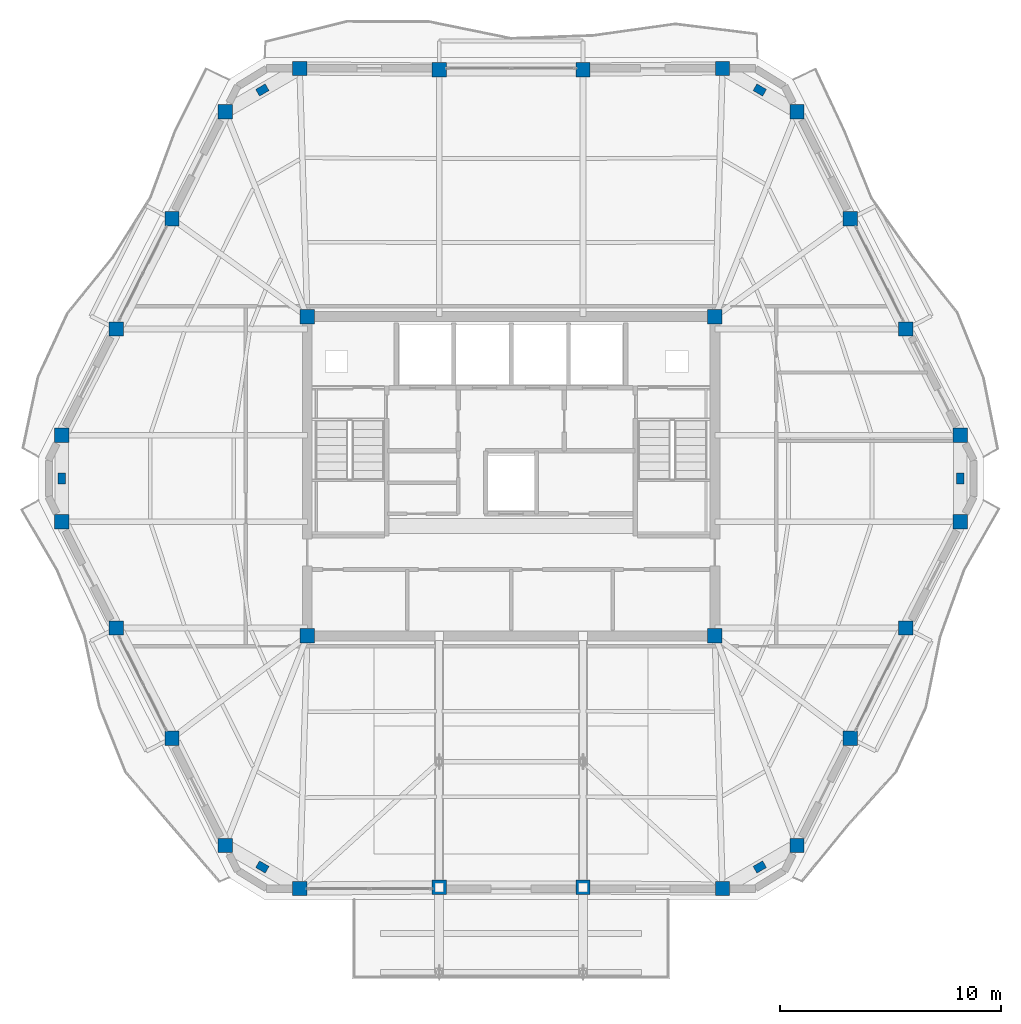
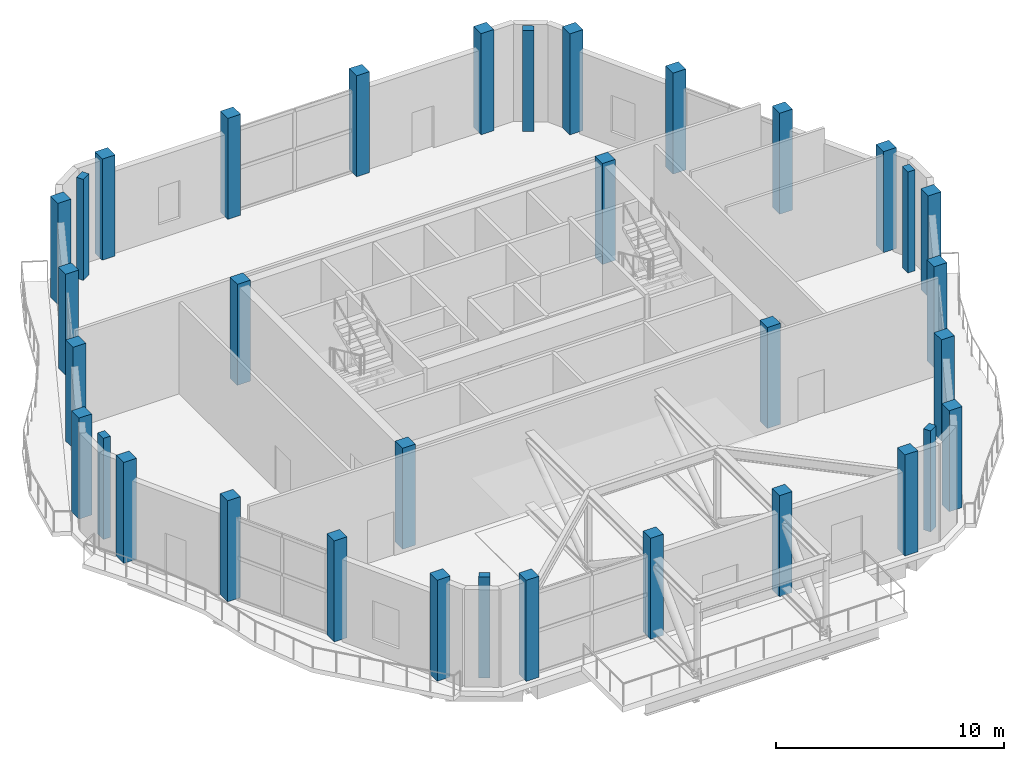
# One storey, part 1 of 23: 34 columns.
"""IFC4 building model written with IfcOpenShell, lengths in metres."""

from ifc_helpers import new_model, si_unit, direction, frame, origin, origin_2d, place, context, subcontext, project, spatial, rectangle, extrude, material, material_profile, profile_set, type_object, element, save


model = new_model("IFC4")

# Units and contexts
model_context = context("Model", 3, precision=1e-05, world=origin(), true_north=direction((0.0, 1.0)))
body_context = subcontext(model_context, "Body", "Model", "MODEL_VIEW")
ifc_project = project(units=[si_unit("LENGTHUNIT", "METRE"), si_unit("AREAUNIT", "SQUARE_METRE"), si_unit("VOLUMEUNIT", "CUBIC_METRE"), si_unit("PLANEANGLEUNIT", "RADIAN"), si_unit("MASSUNIT", "GRAM", prefix="KILO")], contexts=[model_context])

# Site, building, storey
site_placement = place(None, origin())
site = spatial("IfcSite", under=ifc_project, at=site_placement, CompositionType="ELEMENT")
building_placement = place(site_placement, origin())
building = spatial("IfcBuilding", under=site, at=building_placement, Name="Cinnabar Lancet Tower", CompositionType="ELEMENT")
storey_placement = place(building_placement, frame((0.0, 0.0, 278.10009765625)))
storey = spatial("IfcBuildingStorey", under=building, at=storey_placement, Name="L74", CompositionType="ELEMENT", Elevation=278.10009765625)

# Columns
ifc_material_1 = material(Name="Concrete C50/60", Category="concrete")
ifc_material_profile_1 = material_profile(ifc_material_1, rectangle(XDim=0.64990234375, YDim=0.64990234375, at=origin_2d()), Name="RC-COL 650x650")
ifc_profile_set_1 = profile_set([ifc_material_profile_1], Name="Concrete C50/60")
column_type_1 = type_object("IfcColumnType", Name="STR-COL-CORE-650B", PredefinedType="COLUMN", material=ifc_profile_set_1)
for number, where, z_axis, x_axis, name in (
    (1, (23.175048828125, 18.675048828125, 0.0), (0.0, 0.0, 1.0), (1.0, 0.0, 0.0), "L74 Core Corner Column SW"),
    (2, (41.625, 18.675048828125, 0.0), (0.0, 0.0, 1.0), (1.0, 0.0, 0.0), "L74 Core Corner Column SE"),
    (3, (41.625, 33.125, 0.0), (0.0, 0.0, 1.0), (1.0, 0.0, 0.0), "L74 Core Corner Column NE"),
    (4, (23.175048828125, 33.125, 0.0), (0.0, 0.0, 1.0), (1.0, 0.0, 0.0), "L74 Core Corner Column NW"),
):
    element("IfcColumn", number, at=place(storey_placement, frame(where, z_axis=z_axis, x_axis=x_axis)), inside=storey, type_object=column_type_1, Name=name, PredefinedType="COLUMN", context=body_context, shape_type="SweptSolid", body=[
        extrude(rectangle(XDim=0.64990234375, YDim=0.64990234375, at=origin_2d()), origin(), (0.0, 0.0, 1.0), 5.39990234375),
    ])
ifc_material_2 = material(Name="Concrete C60/75", Category="concrete")
ifc_material_profile_2 = material_profile(ifc_material_2, rectangle(XDim=0.5, YDim=0.35009765625, at=origin_2d()), Name="RC-PIL 500x350")
ifc_profile_set_2 = profile_set([ifc_material_profile_2], Name="Concrete C60/75")
column_type_2 = type_object("IfcColumnType", Name="STR-COL-PIL-500", PredefinedType="PILASTER", material=ifc_profile_set_2)
for number, where, z_axis, x_axis, name in (
    (5, (21.14306640625, 8.215087890625, 0.0), (0.0, 0.0, 1.0), (0.865256437757, -0.501329529272, 0.0), "L74 Chamfered Corner Pilaster 1"),
    (6, (43.656982421875, 8.215087890625, 0.0), (0.0, 0.0, 1.0), (0.865256437757, 0.501329529272, 0.0), "L74 Chamfered Corner Pilaster 2"),
    (7, (52.737060546875, 25.800048828125, 0.0), (0.0, 0.0, 1.0), (0.0, 1.0, 0.0), "L74 Chamfered Corner Pilaster 3"),
    (8, (43.656982421875, 43.385009765625, 0.0), (0.0, 0.0, 1.0), (-0.865256437757, 0.501329529272, 0.0), "L74 Chamfered Corner Pilaster 4"),
    (9, (21.14306640625, 43.385009765625, 0.0), (0.0, 0.0, 1.0), (-0.865256437757, -0.501329529272, 0.0), "L74 Chamfered Corner Pilaster 5"),
    (10, (12.06298828125, 25.800048828125, 0.0), (0.0, 0.0, 1.0), (0.0, -1.0, 0.0), "L74 Chamfered Corner Pilaster 6"),
):
    element("IfcColumn", number, at=place(storey_placement, frame(where, z_axis=z_axis, x_axis=x_axis)), inside=storey, type_object=column_type_2, Name=name, PredefinedType="PILASTER", context=body_context, shape_type="SweptSolid", body=[
        extrude(rectangle(XDim=0.5, YDim=0.35009765625, at=origin_2d()), origin(), (0.0, 0.0, 1.0), 5.39990234375),
    ])
ifc_material_3 = material(Name="Concrete C50/60", Category="concrete")
ifc_material_profile_3 = material_profile(ifc_material_3, rectangle(XDim=0.64990234375, YDim=0.64990234375, at=origin_2d()), Name="RC-COL 650x650")
ifc_profile_set_3 = profile_set([ifc_material_profile_3], Name="Concrete C50/60")
column_type_3 = type_object("IfcColumnType", Name="STR-COL-TUBE-650", PredefinedType="COLUMN", material=ifc_profile_set_3)
for number, where, z_axis, x_axis, name in (
    (11, (22.827880859375, 7.239013671875, 0.0), (0.0, 0.0, 1.0), (1.0, 0.0, 0.0), "L74 Perimeter Tube Column 1"),
    (12, (29.14599609375, 7.2919921875, 0.0), (0.0, 0.0, 1.0), (1.0, 0.0, 0.0), "L74 Perimeter Tube Column 2"),
    (13, (35.654052734375, 7.2919921875, 0.0), (0.0, 0.0, 1.0), (1.0, 0.0, 0.0), "L74 Perimeter Tube Column 3"),
    (14, (41.971923828125, 7.239013671875, 0.0), (0.0, 0.0, 1.0), (1.0, 0.0, 0.0), "L74 Perimeter Tube Column 4"),
    (15, (45.341064453125, 9.19091796875, 0.0), (0.0, 0.0, 1.0), (1.0, 0.0, 0.0), "L74 Perimeter Tube Column 5"),
    (16, (47.7490234375, 14.0458984375, 0.0), (0.0, 0.0, 1.0), (1.0, 0.0, 0.0), "L74 Perimeter Tube Column 6"),
    (17, (50.263916015625, 19.032958984375, 0.0), (0.0, 0.0, 1.0), (1.0, 0.0, 0.0), "L74 Perimeter Tube Column 7"),
    (18, (52.737060546875, 23.844970703125, 0.0), (0.0, 0.0, 1.0), (1.0, 0.0, 0.0), "L74 Perimeter Tube Column 8"),
    (19, (52.737060546875, 27.7548828125, 0.0), (0.0, 0.0, 1.0), (1.0, 0.0, 0.0), "L74 Perimeter Tube Column 9"),
    (20, (50.263916015625, 32.56689453125, 0.0), (0.0, 0.0, 1.0), (1.0, 0.0, 0.0), "L74 Perimeter Tube Column 10"),
    (21, (47.7490234375, 37.553955078125, 0.0), (0.0, 0.0, 1.0), (1.0, 0.0, 0.0), "L74 Perimeter Tube Column 11"),
    (22, (45.341064453125, 42.408935546875, 0.0), (0.0, 0.0, 1.0), (1.0, 0.0, 0.0), "L74 Perimeter Tube Column 12"),
    (23, (41.971923828125, 44.361083984375, 0.0), (0.0, 0.0, 1.0), (1.0, 0.0, 0.0), "L74 Perimeter Tube Column 13"),
    (24, (35.654052734375, 44.30810546875, 0.0), (0.0, 0.0, 1.0), (1.0, 0.0, 0.0), "L74 Perimeter Tube Column 14"),
    (25, (29.14599609375, 44.30810546875, 0.0), (0.0, 0.0, 1.0), (1.0, 0.0, 0.0), "L74 Perimeter Tube Column 15"),
    (26, (22.827880859375, 44.361083984375, 0.0), (0.0, 0.0, 1.0), (1.0, 0.0, 0.0), "L74 Perimeter Tube Column 16"),
    (27, (19.458984375, 42.408935546875, 0.0), (0.0, 0.0, 1.0), (1.0, 0.0, 0.0), "L74 Perimeter Tube Column 17"),
    (28, (17.051025390625, 37.553955078125, 0.0), (0.0, 0.0, 1.0), (1.0, 0.0, 0.0), "L74 Perimeter Tube Column 18"),
    (29, (14.535888671875, 32.56689453125, 0.0), (0.0, 0.0, 1.0), (1.0, 0.0, 0.0), "L74 Perimeter Tube Column 19"),
    (30, (12.06298828125, 27.7548828125, 0.0), (0.0, 0.0, 1.0), (1.0, 0.0, 0.0), "L74 Perimeter Tube Column 20"),
    (31, (12.06298828125, 23.844970703125, 0.0), (0.0, 0.0, 1.0), (1.0, 0.0, 0.0), "L74 Perimeter Tube Column 21"),
    (32, (14.535888671875, 19.032958984375, 0.0), (0.0, 0.0, 1.0), (1.0, 0.0, 0.0), "L74 Perimeter Tube Column 22"),
    (33, (17.051025390625, 14.0458984375, 0.0), (0.0, 0.0, 1.0), (1.0, 0.0, 0.0), "L74 Perimeter Tube Column 23"),
    (34, (19.458984375, 9.19091796875, 0.0), (0.0, 0.0, 1.0), (1.0, 0.0, 0.0), "L74 Perimeter Tube Column 24"),
):
    element("IfcColumn", number, at=place(storey_placement, frame(where, z_axis=z_axis, x_axis=x_axis)), inside=storey, type_object=column_type_3, Name=name, PredefinedType="COLUMN", context=body_context, shape_type="SweptSolid", body=[
        extrude(rectangle(XDim=0.64990234375, YDim=0.64990234375, at=origin_2d()), origin(), (0.0, 0.0, 1.0), 5.39990234375),
    ])

save(model, "model.ifc")
